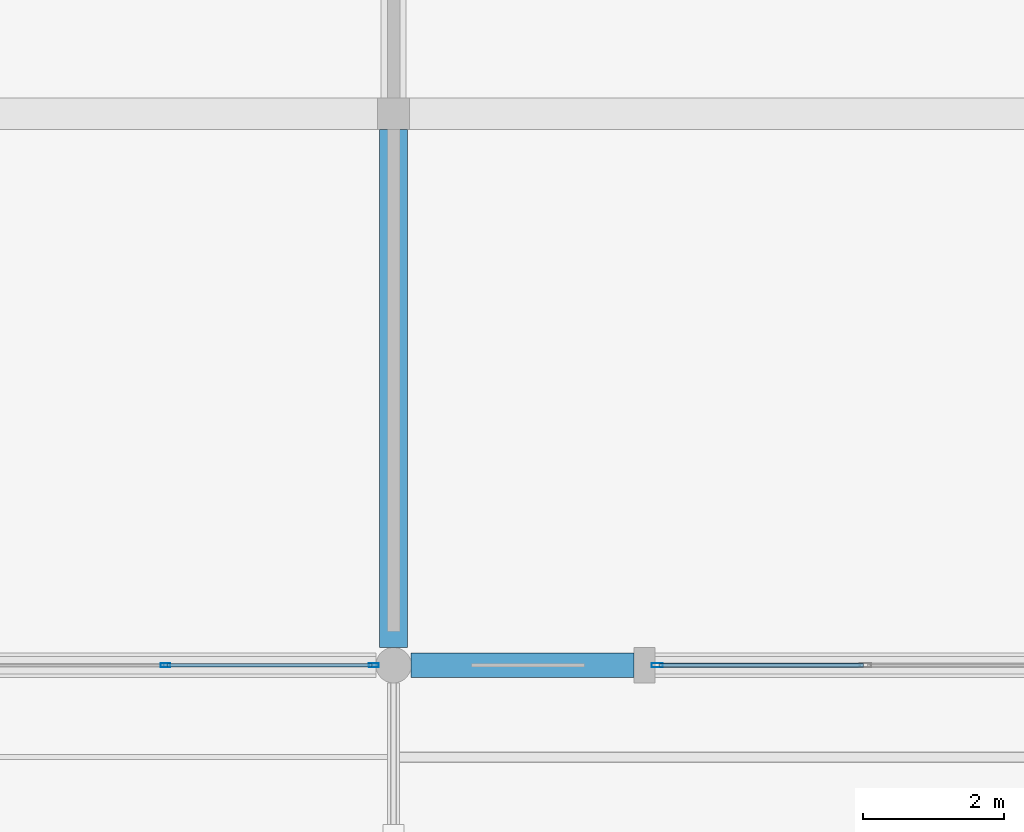
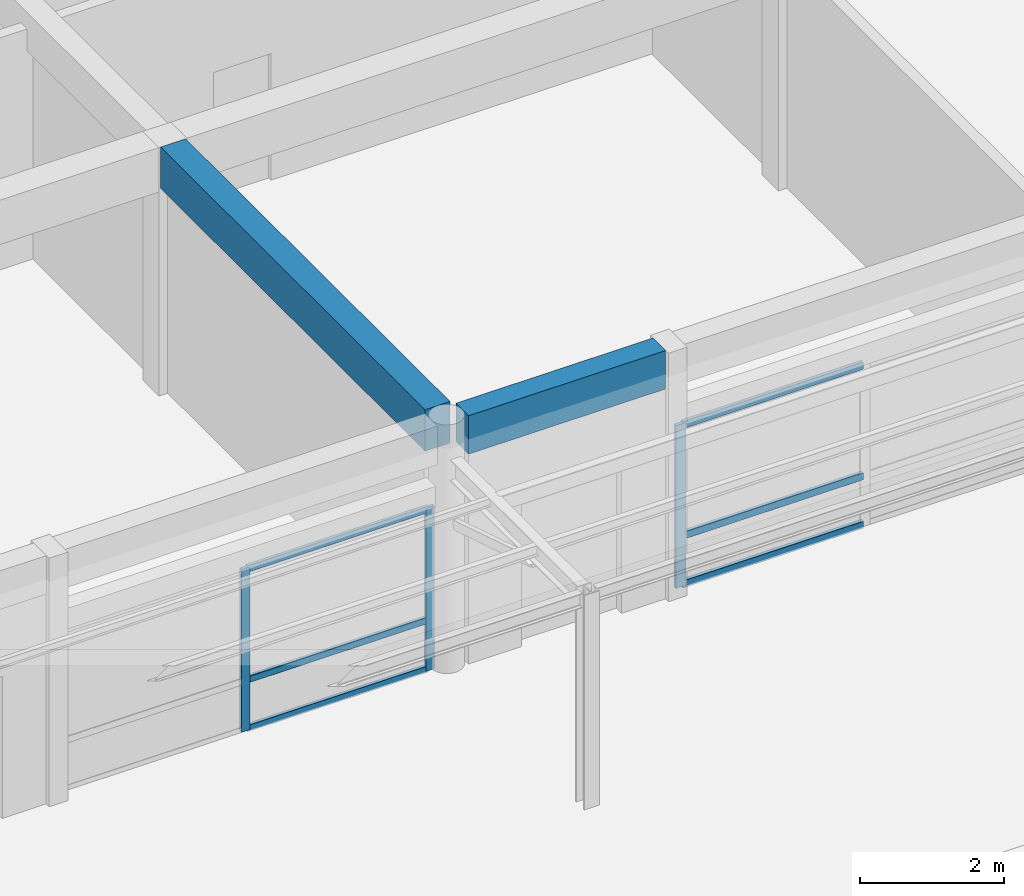
# One storey, part 20 of 75: 9 members, 2 beams, 2 elements without a shape of their own.
"""IFC4 building model written with IfcOpenShell, lengths in metres."""

from ifc_helpers import new_model, si_unit, direction, frame, origin, origin_2d, place, context, subcontext, project, spatial, rectangle, hollow_rectangle, extrude, material, material_profile, profile_set, type_object, element, aggregate, save


model = new_model("IFC4")

# Units and contexts
model_context = context("Model", 3, precision=1e-05, world=origin(), true_north=direction((0.0, 1.0)))
body_context = subcontext(model_context, "Body", "Model", "MODEL_VIEW")
ifc_project = project(units=[si_unit("LENGTHUNIT", "METRE"), si_unit("AREAUNIT", "SQUARE_METRE"), si_unit("VOLUMEUNIT", "CUBIC_METRE"), si_unit("PLANEANGLEUNIT", "RADIAN"), si_unit("MASSUNIT", "GRAM", prefix="KILO")], contexts=[model_context])

# Site, building, storey
site_placement = place(None, origin())
site = spatial("IfcSite", under=ifc_project, at=site_placement, CompositionType="ELEMENT")
building_placement = place(site_placement, origin())
building = spatial("IfcBuilding", under=site, at=building_placement, Name="Kernevlak Ridge Housing Community", CompositionType="ELEMENT")
storey_placement = place(building_placement, origin())
storey = spatial("IfcBuildingStorey", under=building, at=storey_placement, Name="L00", CompositionType="ELEMENT", Elevation=0.0)

# Beams
ifc_material_1 = material(Name="Concrete C35/45", Category="concrete")
ifc_material_profile_1 = material_profile(ifc_material_1, rectangle(XDim=0.39990234375, YDim=0.699951171875, at=origin_2d()), Name="RC 400x700")
ifc_profile_set_1 = profile_set([ifc_material_profile_1], Name="Concrete C35/45")
beam_type_1 = type_object("IfcBeamType", Name="B-01", PredefinedType="BEAM", material=ifc_profile_set_1)
beam_1_placement = place(storey_placement, frame((84.0, 8.050048828125, 3.85009765625), z_axis=(0.0, 1.0, 0.0), x_axis=(-1.0, 0.0, 0.0)))
element("IfcBeam", 1, at=beam_1_placement, inside=storey, type_object=beam_type_1, Name="Beam B-01 L00 2327", PredefinedType="BEAM", context=body_context, shape_type="SweptSolid", body=[
    extrude(rectangle(XDim=0.39990234375, YDim=0.699951171875, at=origin_2d()), origin(), (0.0, 0.0, 1.0), 7.324951171875),
])
ifc_material_profile_2 = material_profile(ifc_material_1, rectangle(XDim=0.35009765625, YDim=0.64990234375, at=origin_2d()), Name="RC 350x650")
ifc_profile_set_2 = profile_set([ifc_material_profile_2], Name="Concrete C35/45")
beam_type_2 = type_object("IfcBeamType", Name="B-02", PredefinedType="BEAM", material=ifc_profile_set_2)
beam_2_placement = place(storey_placement, frame((84.25, 7.800048828125, 3.875), z_axis=(1.0, 0.0, 0.0), x_axis=(0.0, 1.0, 0.0)))
element("IfcBeam", 2, at=beam_2_placement, inside=storey, type_object=beam_type_2, Name="Beam B-02 L00 2047", PredefinedType="BEAM", context=body_context, shape_type="SweptSolid", body=[
    extrude(rectangle(XDim=0.35009765625, YDim=0.64990234375, at=origin_2d()), origin(), (0.0, 0.0, 1.0), 3.14990234375),
])

# Curtain wall, members
ifc_material_2 = material(Name="Aluminium EN AW-6060 anodised and laminated glass", Category="aluminium")
curtain_wall_type_1 = type_object("IfcCurtainWallType", Name="CW-03", PredefinedType="NOTDEFINED", material=ifc_material_2)
curtain_wall_1_placement = place(storey_placement, origin())
curtain_wall_1 = element("IfcCurtainWall", 3, at=curtain_wall_1_placement, inside=storey, type_object=curtain_wall_type_1, Name="Curtain wall CW-03 CW-L00-171", PredefinedType="NOTDEFINED")
ifc_material_3 = material(Name="Aluminium EN AW-6060 anodised", Category="aluminium")
ifc_material_profile_3 = material_profile(ifc_material_3, hollow_rectangle(XDim=0.054931640625, YDim=0.139892578125, WallThickness=0.00390625, InnerFilletRadius=0.001953125, OuterFilletRadius=0.00390625, at=origin_2d()), Name="ALU 55x140x4")
ifc_profile_set_3 = profile_set([ifc_material_profile_3], Name="Aluminium EN AW-6060 anodised")
member_type_1 = type_object("IfcMemberType", Name="MU-01", PredefinedType="MULLION", material=ifc_profile_set_3)
member_1_placement = place(storey_placement, frame((80.77490234375, 7.800048828125, 0.0), z_axis=(0.0, 0.0, 1.0), x_axis=(0.0, 1.0, 0.0)))
member_1 = element("IfcMember", 4, at=member_1_placement, type_object=member_type_1, Name="CW-03 mullion 2", PredefinedType="MULLION", context=body_context, shape_type="SweptSolid", body=[
    extrude(hollow_rectangle(XDim=0.054931640625, YDim=0.139892578125, WallThickness=0.00390625, InnerFilletRadius=0.001953125, OuterFilletRadius=0.00390625, at=origin_2d()), origin(), (0.0, 0.0, 1.0), 2.75),
])
member_2_placement = place(storey_placement, frame((83.722412109375, 7.800048828125, 0.0), z_axis=(0.0, 0.0, 1.0), x_axis=(0.0, 1.0, 0.0)))
member_2 = element("IfcMember", 5, at=member_2_placement, type_object=member_type_1, Name="CW-03 mullion 3", PredefinedType="MULLION", context=body_context, shape_type="SweptSolid", body=[
    extrude(hollow_rectangle(XDim=0.054931640625, YDim=0.139892578125, WallThickness=0.00390625, InnerFilletRadius=0.001953125, OuterFilletRadius=0.00390625, at=origin_2d()), origin(), (0.0, 0.0, 1.0), 2.75),
])

# Curtain wall, member
curtain_wall_type_2 = type_object("IfcCurtainWallType", Name="CW-04", PredefinedType="NOTDEFINED", material=ifc_material_2)
curtain_wall_2_placement = place(storey_placement, origin())
curtain_wall_2 = element("IfcCurtainWall", 6, at=curtain_wall_2_placement, inside=storey, type_object=curtain_wall_type_2, Name="Curtain wall CW-04 CW-L00-172", PredefinedType="NOTDEFINED")
ifc_material_profile_4 = material_profile(ifc_material_3, hollow_rectangle(XDim=0.06005859375, YDim=0.159912109375, WallThickness=0.00390625, InnerFilletRadius=0.001953125, OuterFilletRadius=0.00390625, at=origin_2d()), Name="ALU 60x160x4")
ifc_profile_set_4 = profile_set([ifc_material_profile_4], Name="Aluminium EN AW-6060 anodised")
member_type_2 = type_object("IfcMemberType", Name="MU-02", PredefinedType="MULLION", material=ifc_profile_set_4)
member_3_placement = place(storey_placement, frame((87.72998046875, 7.800048828125, 0.0), z_axis=(0.0, 0.0, 1.0), x_axis=(0.0, 1.0, 0.0)))
member_3 = element("IfcMember", 7, at=member_3_placement, type_object=member_type_2, Name="CW-04 mullion 1", PredefinedType="MULLION", context=body_context, shape_type="SweptSolid", body=[
    extrude(hollow_rectangle(XDim=0.06005859375, YDim=0.159912109375, WallThickness=0.00390625, InnerFilletRadius=0.001953125, OuterFilletRadius=0.00390625, at=origin_2d()), origin(), (0.0, 0.0, 1.0), 2.75),
])

# Member
ifc_material_profile_5 = material_profile(ifc_material_3, hollow_rectangle(XDim=0.054931640625, YDim=0.110107421875, WallThickness=0.00390625, InnerFilletRadius=0.001953125, OuterFilletRadius=0.00390625, at=origin_2d()), Name="ALU 55x110x4")
ifc_profile_set_5 = profile_set([ifc_material_profile_5], Name="Aluminium EN AW-6060 anodised")
member_type_3 = type_object("IfcMemberType", Name="TM-01", PredefinedType="USERDEFINED", material=ifc_profile_set_5)
member_4_placement = place(storey_placement, frame((80.802490234375, 7.800048828125, 0.027587890625), z_axis=(1.0, 0.0, 0.0), x_axis=(0.0, 1.0, 0.0)))
member_4 = element("IfcMember", 8, at=member_4_placement, type_object=member_type_3, Name="CW-03 transom 2.1", ObjectType="TRANSOM", PredefinedType="USERDEFINED", context=body_context, shape_type="SweptSolid", body=[
    extrude(hollow_rectangle(XDim=0.054931640625, YDim=0.110107421875, WallThickness=0.00390625, InnerFilletRadius=0.001953125, OuterFilletRadius=0.00390625, at=origin_2d()), origin(), (0.0, 0.0, 1.0), 2.892578125),
])

member_5_placement = place(storey_placement, frame((80.802490234375, 7.800048828125, 0.85009765625), z_axis=(1.0, 0.0, 0.0), x_axis=(0.0, 1.0, 0.0)))
member_5 = element("IfcMember", 9, at=member_5_placement, type_object=member_type_3, Name="CW-03 transom 2.2", ObjectType="TRANSOM", PredefinedType="USERDEFINED", context=body_context, shape_type="SweptSolid", body=[
    extrude(hollow_rectangle(XDim=0.054931640625, YDim=0.110107421875, WallThickness=0.00390625, InnerFilletRadius=0.001953125, OuterFilletRadius=0.00390625, at=origin_2d()), origin(), (0.0, 0.0, 1.0), 2.892578125),
])

member_6_placement = place(storey_placement, frame((80.802490234375, 7.800048828125, 2.722412109375), z_axis=(1.0, 0.0, 0.0), x_axis=(0.0, 1.0, 0.0)))
member_6 = element("IfcMember", 10, at=member_6_placement, type_object=member_type_3, Name="CW-03 transom 2.3", ObjectType="TRANSOM", PredefinedType="USERDEFINED", context=body_context, shape_type="SweptSolid", body=[
    extrude(hollow_rectangle(XDim=0.054931640625, YDim=0.110107421875, WallThickness=0.00390625, InnerFilletRadius=0.001953125, OuterFilletRadius=0.00390625, at=origin_2d()), origin(), (0.0, 0.0, 1.0), 2.892578125),
])

aggregate(curtain_wall_1, [member_1, member_2, member_4, member_5, member_6])

ifc_material_profile_6 = material_profile(ifc_material_3, hollow_rectangle(XDim=0.06005859375, YDim=0.1201171875, WallThickness=0.00390625, InnerFilletRadius=0.001953125, OuterFilletRadius=0.00390625, at=origin_2d()), Name="ALU 60x120x4")
ifc_profile_set_6 = profile_set([ifc_material_profile_6], Name="Aluminium EN AW-6060 anodised")
member_type_4 = type_object("IfcMemberType", Name="TM-02", PredefinedType="USERDEFINED", material=ifc_profile_set_6)
member_7_placement = place(storey_placement, frame((87.760009765625, 7.800048828125, 0.030029296875), z_axis=(1.0, 0.0, 0.0), x_axis=(0.0, 1.0, 0.0)))
member_7 = element("IfcMember", 11, at=member_7_placement, type_object=member_type_4, Name="CW-04 transom 1.1", ObjectType="TRANSOM", PredefinedType="USERDEFINED", context=body_context, shape_type="SweptSolid", body=[
    extrude(hollow_rectangle(XDim=0.06005859375, YDim=0.1201171875, WallThickness=0.00390625, InnerFilletRadius=0.001953125, OuterFilletRadius=0.00390625, at=origin_2d()), origin(), (0.0, 0.0, 1.0), 2.885009765625),
])

member_8_placement = place(storey_placement, frame((87.760009765625, 7.800048828125, 0.85009765625), z_axis=(1.0, 0.0, 0.0), x_axis=(0.0, 1.0, 0.0)))
member_8 = element("IfcMember", 12, at=member_8_placement, type_object=member_type_4, Name="CW-04 transom 1.2", ObjectType="TRANSOM", PredefinedType="USERDEFINED", context=body_context, shape_type="SweptSolid", body=[
    extrude(hollow_rectangle(XDim=0.06005859375, YDim=0.1201171875, WallThickness=0.00390625, InnerFilletRadius=0.001953125, OuterFilletRadius=0.00390625, at=origin_2d()), origin(), (0.0, 0.0, 1.0), 2.885009765625),
])

member_9_placement = place(storey_placement, frame((87.760009765625, 7.800048828125, 2.719970703125), z_axis=(1.0, 0.0, 0.0), x_axis=(0.0, 1.0, 0.0)))
member_9 = element("IfcMember", 13, at=member_9_placement, type_object=member_type_4, Name="CW-04 transom 1.3", ObjectType="TRANSOM", PredefinedType="USERDEFINED", context=body_context, shape_type="SweptSolid", body=[
    extrude(hollow_rectangle(XDim=0.06005859375, YDim=0.1201171875, WallThickness=0.00390625, InnerFilletRadius=0.001953125, OuterFilletRadius=0.00390625, at=origin_2d()), origin(), (0.0, 0.0, 1.0), 2.885009765625),
])

aggregate(curtain_wall_2, [member_3, member_7, member_8, member_9])

save(model, "model.ifc")
